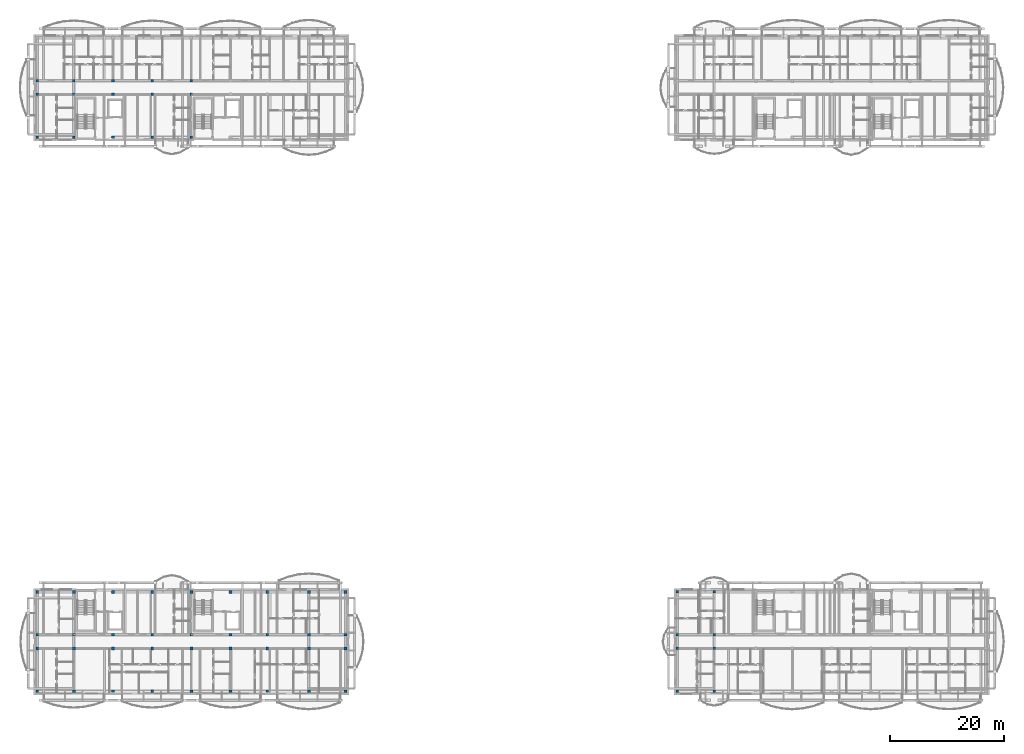
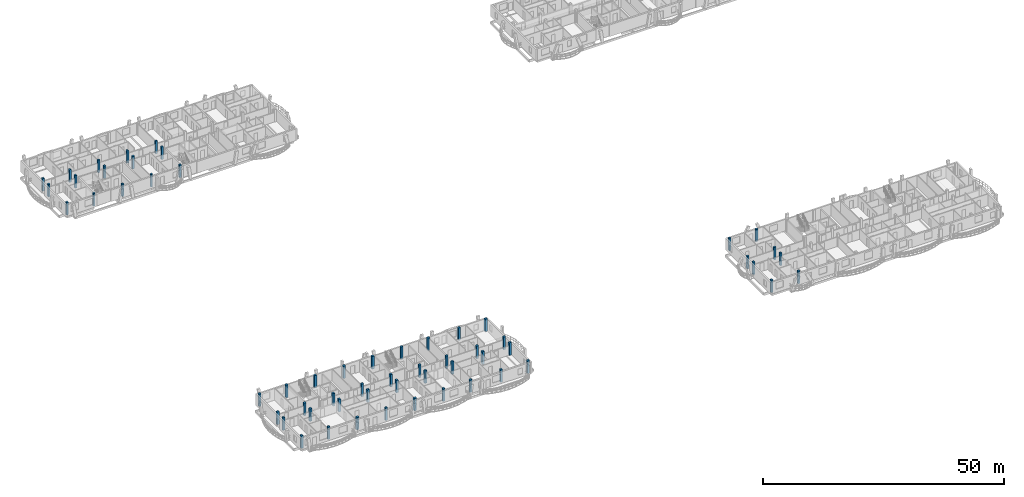
# One storey, part 1 of 52: 59 columns.
"""IFC4 building model written with IfcOpenShell, lengths in metres."""

import ifcopenshell
import ifcopenshell.guid

model = None  # the IFC model being written
_history = None  # IfcOwnerHistory: only IFC2X3 demands one
_inside = {}  # id of a spatial element -> (the spatial element, [elements in it])
_under = {}  # id of a project, library or spatial element -> (it, [spatial elements below it])
_declared = {}  # id of a project -> (the project, [libraries it declares])
_typed = {}  # id of a type object -> (the type object, [elements of that type])
_made_of = {}  # id of a material, layer set ... -> (it, [elements and type objects made of it])


def new_model(schema):
    """Start an empty IFC model of exactly this schema.

    Asked for "IFC4X3", IfcOpenShell would pick the latest addendum, in which some entities
    have other attributes; the version numbers below select the first issue.
    IFC2X3 requires an IfcOwnerHistory on every rooted entity: one is made here for all.
    """
    global model, _history
    if schema == "IFC4X3":
        model = ifcopenshell.file(schema_version=(4, 3, 0, 0))
    else:
        model = ifcopenshell.file(schema=schema)
    _inside.clear()
    _under.clear()
    _declared.clear()
    _typed.clear()
    _made_of.clear()
    _history = None
    if model.schema == "IFC2X3":
        org = make("IfcOrganization", Name="unknown")
        user = make(
            "IfcPersonAndOrganization",
            ThePerson=make("IfcPerson", FamilyName="unknown"),
            TheOrganization=org,
        )
        app = make(
            "IfcApplication",
            ApplicationDeveloper=org,
            Version="unknown",
            ApplicationFullName="unknown",
            ApplicationIdentifier="unknown",
        )
        _history = make(
            "IfcOwnerHistory",
            OwningUser=user,
            OwningApplication=app,
            ChangeAction="ADDED",
            CreationDate=0,
        )
    return model


def make(cls, **values):
    """One entity of the class cls with the attributes given. An attribute that is None is left unset."""
    return model.create_entity(
        cls, **{name: value for name, value in values.items() if value is not None}
    )


def rooted(cls, **values):
    """An entity with a GlobalId (a new one), such as an element, a storey or a relation."""
    return make(cls, GlobalId=ifcopenshell.guid.new(), OwnerHistory=_history, **values)


def si_unit(unit_type, name, prefix=None):
    """IfcSIUnit, for example si_unit("LENGTHUNIT", "METRE", prefix="MILLI")."""
    return make("IfcSIUnit", UnitType=unit_type, Prefix=prefix, Name=name)


def assignment(units):
    """IfcUnitAssignment: the units of a project."""
    return None if units is None else make("IfcUnitAssignment", Units=units)


def point(xyz):
    """IfcCartesianPoint."""
    return None if xyz is None else make("IfcCartesianPoint", Coordinates=xyz)


def direction(xyz):
    """IfcDirection."""
    return None if xyz is None else make("IfcDirection", DirectionRatios=xyz)


def frame(location, z_axis=None, x_axis=None):
    """IfcAxis2Placement3D, a coordinate frame: its origin and axes. An axis left out is left unset."""
    return make(
        "IfcAxis2Placement3D",
        Location=point(location),
        Axis=direction(z_axis),
        RefDirection=direction(x_axis),
    )


def frame_2d(location, x_axis=None):
    """IfcAxis2Placement2D, a coordinate frame in the plane: its origin and x axis."""
    return make(
        "IfcAxis2Placement2D", Location=point(location), RefDirection=direction(x_axis)
    )


def origin():
    """The frame at (0, 0, 0) with its axes left unset."""
    return frame((0.0, 0.0, 0.0))


def origin_2d():
    """The frame at (0, 0) in the plane with its x axis left unset."""
    return frame_2d((0.0, 0.0))


def place(relative_to, where):
    """IfcLocalPlacement: puts the frame where relative to a parent placement (None: the world)."""
    return make(
        "IfcLocalPlacement", PlacementRelTo=relative_to, RelativePlacement=where
    )


def context(
    kind, dimensions, precision=None, world=None, true_north=None, identifier=None
):
    """IfcGeometricRepresentationContext, for example the 3D "Model" context."""
    return make(
        "IfcGeometricRepresentationContext",
        ContextIdentifier=identifier,
        ContextType=kind,
        CoordinateSpaceDimension=dimensions,
        Precision=precision,
        WorldCoordinateSystem=world,
        TrueNorth=true_north,
    )


def subcontext(parent, identifier, kind, view, scale=None):
    """IfcGeometricRepresentationSubContext, for example "Body" below "Model"."""
    return make(
        "IfcGeometricRepresentationSubContext",
        ContextIdentifier=identifier,
        ContextType=kind,
        ParentContext=parent,
        TargetScale=scale,
        TargetView=view,
    )


def project(units=None, contexts=None):
    """IfcProject with its units and contexts."""
    return rooted(
        "IfcProject",
        Name="project",
        RepresentationContexts=contexts,
        UnitsInContext=assignment(units),
    )


def spatial(cls, under=None, at=None, **own):
    """A site, building, storey or space (cls), placed at a placement, below another one or the project."""
    s = rooted(cls, ObjectPlacement=at, **own)
    if under is not None:
        _under.setdefault(under.id(), (under, []))[1].append(s)
    return s


def profile(cls, at=None, kind="AREA", **sizes):
    """A parametric profile (cls). Its sizes go by their IFC names, for example OverallWidth=200.0."""
    return make(cls, ProfileType=kind, Position=at, **sizes)


def rectangle(**sizes):
    """IfcRectangleProfileDef."""
    return profile("IfcRectangleProfileDef", **sizes)


def extrude(swept, where, along, depth):
    """IfcExtrudedAreaSolid: the profile swept, set in the frame where, extruded along a direction by depth."""
    return make(
        "IfcExtrudedAreaSolid",
        SweptArea=swept,
        Position=where,
        ExtrudedDirection=direction(along),
        Depth=depth,
    )


def shape(context_of_items, identifier, shape_type, items):
    """IfcShapeRepresentation: the items that make up one representation, for example the "Body"."""
    return make(
        "IfcShapeRepresentation",
        ContextOfItems=context_of_items,
        RepresentationIdentifier=identifier,
        RepresentationType=shape_type,
        Items=items,
    )


def material(Name=None, Category=None):
    """IfcMaterial."""
    return make("IfcMaterial", Name=Name, Category=Category)


def material_profile(
    of_material, cross_section, Name=None, Category=None, Priority=None
):
    """IfcMaterialProfile: a cross section and its material."""
    return make(
        "IfcMaterialProfile",
        Name=Name,
        Material=of_material,
        Profile=cross_section,
        Priority=Priority,
        Category=Category,
    )


def profile_set(profiles, Name=None, composite=None):
    """IfcMaterialProfileSet."""
    return make(
        "IfcMaterialProfileSet",
        Name=Name,
        MaterialProfiles=profiles,
        CompositeProfile=composite,
    )


def made_of(thing, what):
    """Note that an element or type object is made of a material, layer set ...; save() writes the relation."""
    if what is not None:
        _made_of.setdefault(what.id(), (what, []))[1].append(thing)
    return thing


def type_object(cls, material=None, **own):
    """A type object (cls), such as IfcWallType, which elements share."""
    return made_of(rooted(cls, **own), material)


def element(
    cls,
    number,
    at=None,
    inside=None,
    cuts=None,
    type_object=None,
    material=None,
    context=None,
    identifier="Body",
    shape_type=None,
    held_by="IfcProductDefinitionShape",
    body=None,
    shapes=None,
    **own,
):
    """One element of the class cls, such as IfcWall. Its Tag is "e" and its number.

    at: its placement. inside: the storey or other place that contains it. cuts: it is an
    opening in that element (IfcRelVoidsElement). A single representation is given by context,
    identifier, shape_type and body (its items); several are given by shapes. held_by: the class
    of the entity that holds the representations. save() writes the other relations.
    """
    e = rooted(cls, Tag="e%d" % number, ObjectPlacement=at, **own)
    if body is not None:
        shapes = [shape(context, identifier, shape_type, body)]
    if shapes is not None:
        e.Representation = make(held_by, Representations=shapes)
    if inside is not None:
        _inside.setdefault(inside.id(), (inside, []))[1].append(e)
    if cuts is not None:
        rooted(
            "IfcRelVoidsElement", RelatingBuildingElement=cuts, RelatedOpeningElement=e
        )
    if type_object is not None:
        _typed.setdefault(type_object.id(), (type_object, []))[1].append(e)
    return made_of(e, material)


def aggregate(whole, parts):
    """IfcRelAggregates: a whole, such as a stair, and the parts it consists of."""
    return rooted("IfcRelAggregates", RelatingObject=whole, RelatedObjects=parts)


def save(model, path):
    """Write the relations noted so far, then the file.

    IfcRelAggregates (storeys below a building ...), IfcRelContainedInSpatialStructure (elements
    in a storey), IfcRelDefinesByType, IfcRelAssociatesMaterial and IfcRelDeclares: one each for
    every whole, place, type object, material and project.
    """
    for whole, parts in _under.values():
        aggregate(whole, parts)
    for where, things in _inside.values():
        rooted(
            "IfcRelContainedInSpatialStructure",
            RelatedElements=things,
            RelatingStructure=where,
        )
    for kind, things in _typed.values():
        rooted("IfcRelDefinesByType", RelatedObjects=things, RelatingType=kind)
    for what, things in _made_of.values():
        rooted("IfcRelAssociatesMaterial", RelatedObjects=things, RelatingMaterial=what)
    for by, libraries in _declared.values():
        rooted("IfcRelDeclares", RelatingContext=by, RelatedDefinitions=libraries)
    model.write(path)


model = new_model("IFC4")

# Units and contexts
model_context = context("Model", 3, precision=1e-05, world=origin(), true_north=direction((0.0, 1.0)))
body_context = subcontext(model_context, "Body", "Model", "MODEL_VIEW")
ifc_project = project(units=[si_unit("LENGTHUNIT", "METRE"), si_unit("AREAUNIT", "SQUARE_METRE"), si_unit("VOLUMEUNIT", "CUBIC_METRE"), si_unit("PLANEANGLEUNIT", "RADIAN"), si_unit("MASSUNIT", "GRAM", prefix="KILO")], contexts=[model_context])

# Site, building, storey
site_placement = place(None, origin())
site = spatial("IfcSite", under=ifc_project, at=site_placement, CompositionType="ELEMENT")
building_placement = place(site_placement, origin())
building = spatial("IfcBuilding", under=site, at=building_placement, Name="Zavelmont Quarter", CompositionType="ELEMENT")
storey_placement = place(building_placement, frame((0.0, 0.0, 14.39990234375)))
storey = spatial("IfcBuildingStorey", under=building, at=storey_placement, Name="L04", CompositionType="ELEMENT", Elevation=14.39990234375)

# Columns
ifc_material_1 = material(Name="Concrete C40/50", Category="concrete")
ifc_material_profile_1 = material_profile(ifc_material_1, rectangle(XDim=0.5, YDim=0.5, at=origin_2d()), Name="RC500X500")
ifc_profile_set_1 = profile_set([ifc_material_profile_1], Name="Concrete C40/50")
column_type_1 = type_object("IfcColumnType", Name="CL03", PredefinedType="COLUMN", material=ifc_profile_set_1)
for number, where, z_axis, x_axis, name in (
    (1, (0.43994140625, 0.43994140625, 0.0), (0.0, 0.0, 1.0), (1.0, 0.0, 0.0), "L04 column CL03 at 1/A"),
    (2, (0.43994140625, 8.0, 0.0), (0.0, 0.0, 1.0), (1.0, 0.0, 0.0), "L04 column CL03 at 1/B"),
    (3, (0.43994140625, 10.39990234375, 0.0), (0.0, 0.0, 1.0), (1.0, 0.0, 0.0), "L04 column CL03 at 1/C"),
    (4, (0.43994140625, 17.9599609375, 0.0), (0.0, 0.0, 1.0), (1.0, 0.0, 0.0), "L04 column CL03 at 1/D"),
    (5, (6.89990234375, 0.43994140625, 0.0), (0.0, 0.0, 1.0), (1.0, 0.0, 0.0), "L04 column CL03 at 2/A"),
    (6, (6.89990234375, 8.0, 0.0), (0.0, 0.0, 1.0), (1.0, 0.0, 0.0), "L04 column CL03 at 2/B"),
    (7, (6.89990234375, 10.39990234375, 0.0), (0.0, 0.0, 1.0), (1.0, 0.0, 0.0), "L04 column CL03 at 2/C"),
    (8, (6.89990234375, 17.9599609375, 0.0), (0.0, 0.0, 1.0), (1.0, 0.0, 0.0), "L04 column CL03 at 2/D"),
    (9, (13.800048828125, 0.43994140625, 0.0), (0.0, 0.0, 1.0), (1.0, 0.0, 0.0), "L04 column CL03 at 3/A"),
    (10, (13.800048828125, 8.0, 0.0), (0.0, 0.0, 1.0), (1.0, 0.0, 0.0), "L04 column CL03 at 3/B"),
    (11, (13.800048828125, 10.39990234375, 0.0), (0.0, 0.0, 1.0), (1.0, 0.0, 0.0), "L04 column CL03 at 3/C"),
    (12, (13.800048828125, 17.9599609375, 0.0), (0.0, 0.0, 1.0), (1.0, 0.0, 0.0), "L04 column CL03 at 3/D"),
    (13, (20.699951171875, 0.43994140625, 0.0), (0.0, 0.0, 1.0), (1.0, 0.0, 0.0), "L04 column CL03 at 4/A"),
    (14, (20.699951171875, 8.0, 0.0), (0.0, 0.0, 1.0), (1.0, 0.0, 0.0), "L04 column CL03 at 4/B"),
    (15, (20.699951171875, 10.39990234375, 0.0), (0.0, 0.0, 1.0), (1.0, 0.0, 0.0), "L04 column CL03 at 4/C"),
    (16, (20.699951171875, 17.9599609375, 0.0), (0.0, 0.0, 1.0), (1.0, 0.0, 0.0), "L04 column CL03 at 4/D"),
    (17, (27.60009765625, 0.43994140625, 0.0), (0.0, 0.0, 1.0), (1.0, 0.0, 0.0), "L04 column CL03 at 5/A"),
    (18, (27.60009765625, 8.0, 0.0), (0.0, 0.0, 1.0), (1.0, 0.0, 0.0), "L04 column CL03 at 5/B"),
    (19, (27.60009765625, 10.39990234375, 0.0), (0.0, 0.0, 1.0), (1.0, 0.0, 0.0), "L04 column CL03 at 5/C"),
    (20, (27.60009765625, 17.9599609375, 0.0), (0.0, 0.0, 1.0), (1.0, 0.0, 0.0), "L04 column CL03 at 5/D"),
    (21, (34.5, 0.43994140625, 0.0), (0.0, 0.0, 1.0), (1.0, 0.0, 0.0), "L04 column CL03 at 6/A"),
    (22, (34.5, 8.0, 0.0), (0.0, 0.0, 1.0), (1.0, 0.0, 0.0), "L04 column CL03 at 6/B"),
    (23, (34.5, 10.39990234375, 0.0), (0.0, 0.0, 1.0), (1.0, 0.0, 0.0), "L04 column CL03 at 6/C"),
    (24, (34.5, 17.9599609375, 0.0), (0.0, 0.0, 1.0), (1.0, 0.0, 0.0), "L04 column CL03 at 6/D"),
    (25, (40.9599609375, 0.43994140625, 0.0), (0.0, 0.0, 1.0), (1.0, 0.0, 0.0), "L04 column CL03 at 7/A"),
    (26, (40.9599609375, 8.0, 0.0), (0.0, 0.0, 1.0), (1.0, 0.0, 0.0), "L04 column CL03 at 7/B"),
    (27, (40.9599609375, 10.39990234375, 0.0), (0.0, 0.0, 1.0), (1.0, 0.0, 0.0), "L04 column CL03 at 7/C"),
    (28, (40.9599609375, 17.9599609375, 0.0), (0.0, 0.0, 1.0), (1.0, 0.0, 0.0), "L04 column CL03 at 7/D"),
    (29, (48.300048828125, 0.43994140625, 0.0), (0.0, 0.0, 1.0), (1.0, 0.0, 0.0), "L04 column CL03 at 8/A"),
    (30, (48.300048828125, 8.0, 0.0), (0.0, 0.0, 1.0), (1.0, 0.0, 0.0), "L04 column CL03 at 8/B"),
    (31, (48.300048828125, 10.39990234375, 0.0), (0.0, 0.0, 1.0), (1.0, 0.0, 0.0), "L04 column CL03 at 8/C"),
    (32, (48.300048828125, 17.9599609375, 0.0), (0.0, 0.0, 1.0), (1.0, 0.0, 0.0), "L04 column CL03 at 8/D"),
    (33, (54.760009765625, 0.43994140625, 0.0), (0.0, 0.0, 1.0), (1.0, 0.0, 0.0), "L04 column CL03 at 9/A"),
    (34, (54.760009765625, 8.0, 0.0), (0.0, 0.0, 1.0), (1.0, 0.0, 0.0), "L04 column CL03 at 9/B"),
    (35, (54.760009765625, 10.39990234375, 0.0), (0.0, 0.0, 1.0), (1.0, 0.0, 0.0), "L04 column CL03 at 9/C"),
    (36, (54.760009765625, 17.9599609375, 0.0), (0.0, 0.0, 1.0), (1.0, 0.0, 0.0), "L04 column CL03 at 9/D"),
):
    element("IfcColumn", number, at=place(storey_placement, frame(where, z_axis=z_axis, x_axis=x_axis)), inside=storey, type_object=column_type_1, Name=name, PredefinedType="COLUMN", context=body_context, shape_type="SweptSolid", body=[
        extrude(rectangle(XDim=0.5, YDim=0.5, at=origin_2d()), origin(), (0.0, 0.0, 1.0), 3.2001953125),
    ])
ifc_material_2 = material(Name="Concrete C35/45", Category="concrete")
ifc_material_profile_2 = material_profile(ifc_material_2, rectangle(XDim=0.449951171875, YDim=0.449951171875, at=origin_2d()), Name="RC450X450")
ifc_profile_set_2 = profile_set([ifc_material_profile_2], Name="Concrete C35/45")
column_type_2 = type_object("IfcColumnType", Name="CL04", PredefinedType="COLUMN", material=ifc_profile_set_2)
for number, where, z_axis, x_axis, name in (
    (37, (0.43994140625, 98.0400390625, 0.0), (0.0, 0.0, 1.0), (1.0, 0.0, 0.0), "L04 column CL04 at 1/P"),
    (38, (0.43994140625, 105.60009765625, 0.0), (0.0, 0.0, 1.0), (1.0, 0.0, 0.0), "L04 column CL04 at 1/Q"),
    (39, (0.43994140625, 108.0, 0.0), (0.0, 0.0, 1.0), (1.0, 0.0, 0.0), "L04 column CL04 at 1/R"),
    (40, (6.89990234375, 98.0400390625, 0.0), (0.0, 0.0, 1.0), (1.0, 0.0, 0.0), "L04 column CL04 at 2/P"),
    (41, (6.89990234375, 105.60009765625, 0.0), (0.0, 0.0, 1.0), (1.0, 0.0, 0.0), "L04 column CL04 at 2/Q"),
    (42, (6.89990234375, 108.0, 0.0), (0.0, 0.0, 1.0), (1.0, 0.0, 0.0), "L04 column CL04 at 2/R"),
    (43, (13.800048828125, 98.0400390625, 0.0), (0.0, 0.0, 1.0), (1.0, 0.0, 0.0), "L04 column CL04 at 3/P"),
    (44, (13.800048828125, 105.60009765625, 0.0), (0.0, 0.0, 1.0), (1.0, 0.0, 0.0), "L04 column CL04 at 3/Q"),
    (45, (13.800048828125, 108.0, 0.0), (0.0, 0.0, 1.0), (1.0, 0.0, 0.0), "L04 column CL04 at 3/R"),
    (46, (20.699951171875, 98.0400390625, 0.0), (0.0, 0.0, 1.0), (1.0, 0.0, 0.0), "L04 column CL04 at 4/P"),
    (47, (20.699951171875, 105.60009765625, 0.0), (0.0, 0.0, 1.0), (1.0, 0.0, 0.0), "L04 column CL04 at 4/Q"),
    (48, (20.699951171875, 108.0, 0.0), (0.0, 0.0, 1.0), (1.0, 0.0, 0.0), "L04 column CL04 at 4/R"),
    (49, (27.60009765625, 98.0400390625, 0.0), (0.0, 0.0, 1.0), (1.0, 0.0, 0.0), "L04 column CL04 at 5/P"),
    (50, (27.60009765625, 105.60009765625, 0.0), (0.0, 0.0, 1.0), (1.0, 0.0, 0.0), "L04 column CL04 at 5/Q"),
    (51, (27.60009765625, 108.0, 0.0), (0.0, 0.0, 1.0), (1.0, 0.0, 0.0), "L04 column CL04 at 5/R"),
    (52, (113.239990234375, 0.43994140625, 0.0), (0.0, 0.0, 1.0), (1.0, 0.0, 0.0), "L04 column CL04 at 17/A"),
    (53, (113.239990234375, 8.0, 0.0), (0.0, 0.0, 1.0), (1.0, 0.0, 0.0), "L04 column CL04 at 17/B"),
    (54, (113.239990234375, 10.39990234375, 0.0), (0.0, 0.0, 1.0), (1.0, 0.0, 0.0), "L04 column CL04 at 17/C"),
    (55, (113.239990234375, 17.9599609375, 0.0), (0.0, 0.0, 1.0), (1.0, 0.0, 0.0), "L04 column CL04 at 17/D"),
    (56, (119.699951171875, 0.43994140625, 0.0), (0.0, 0.0, 1.0), (1.0, 0.0, 0.0), "L04 column CL04 at 18/A"),
    (57, (119.699951171875, 8.0, 0.0), (0.0, 0.0, 1.0), (1.0, 0.0, 0.0), "L04 column CL04 at 18/B"),
    (58, (119.699951171875, 10.39990234375, 0.0), (0.0, 0.0, 1.0), (1.0, 0.0, 0.0), "L04 column CL04 at 18/C"),
    (59, (119.699951171875, 17.9599609375, 0.0), (0.0, 0.0, 1.0), (1.0, 0.0, 0.0), "L04 column CL04 at 18/D"),
):
    element("IfcColumn", number, at=place(storey_placement, frame(where, z_axis=z_axis, x_axis=x_axis)), inside=storey, type_object=column_type_2, Name=name, PredefinedType="COLUMN", context=body_context, shape_type="SweptSolid", body=[
        extrude(rectangle(XDim=0.449951171875, YDim=0.449951171875, at=origin_2d()), origin(), (0.0, 0.0, 1.0), 3.2001953125),
    ])

save(model, "model.ifc")
